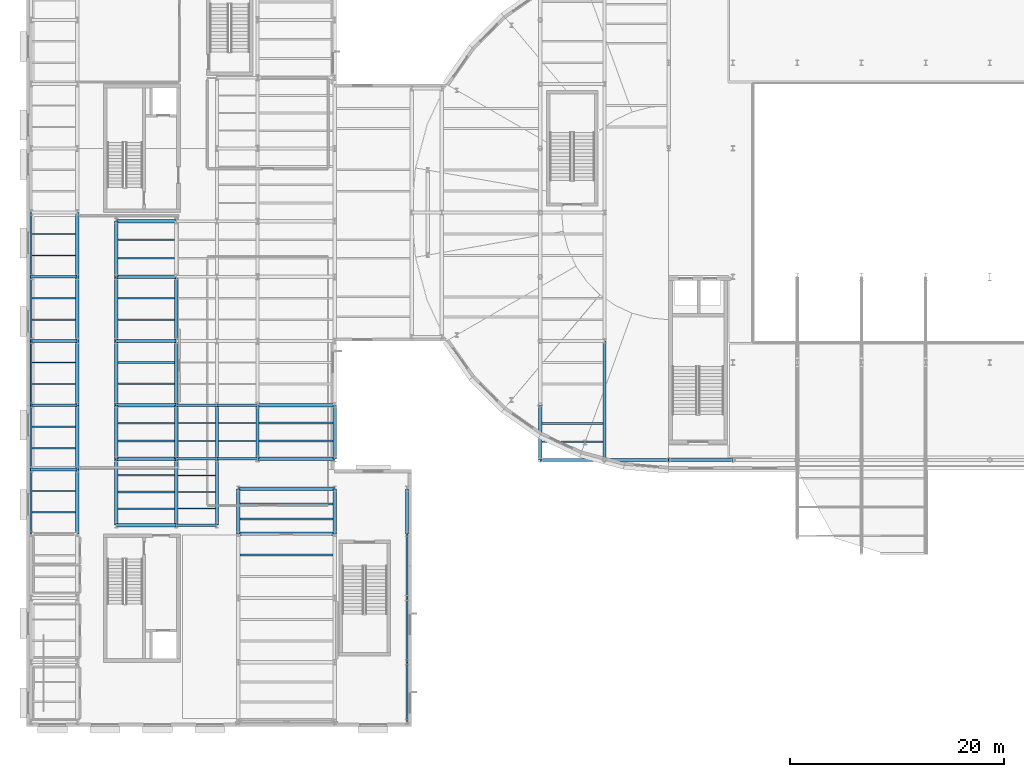
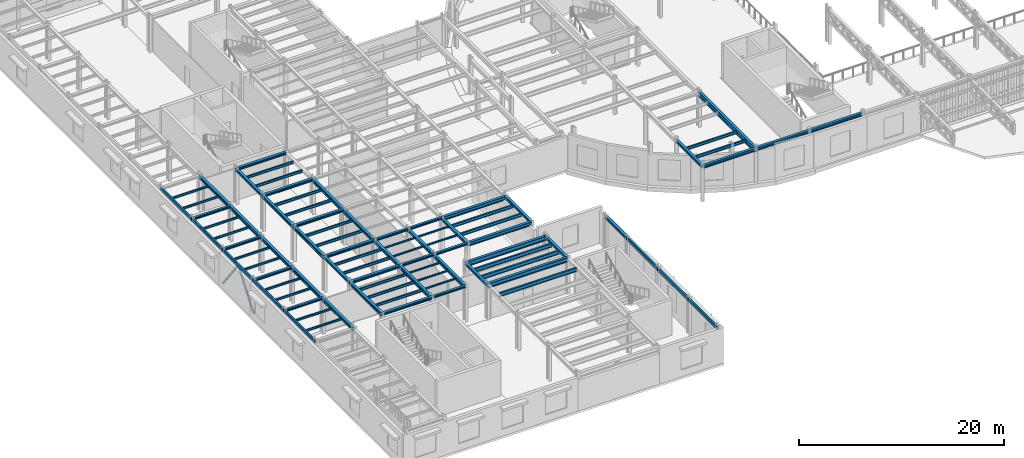
# One storey, part 18 of 91: 88 beams, 2 members.
"""IFC4 building model written with IfcOpenShell, lengths in metres."""

import ifcopenshell
import ifcopenshell.guid

model = None  # the IFC model being written
_history = None  # IfcOwnerHistory: only IFC2X3 demands one
_inside = {}  # id of a spatial element -> (the spatial element, [elements in it])
_under = {}  # id of a project, library or spatial element -> (it, [spatial elements below it])
_declared = {}  # id of a project -> (the project, [libraries it declares])
_typed = {}  # id of a type object -> (the type object, [elements of that type])
_made_of = {}  # id of a material, layer set ... -> (it, [elements and type objects made of it])


def new_model(schema):
    """Start an empty IFC model of exactly this schema.

    Asked for "IFC4X3", IfcOpenShell would pick the latest addendum, in which some entities
    have other attributes; the version numbers below select the first issue.
    IFC2X3 requires an IfcOwnerHistory on every rooted entity: one is made here for all.
    """
    global model, _history
    if schema == "IFC4X3":
        model = ifcopenshell.file(schema_version=(4, 3, 0, 0))
    else:
        model = ifcopenshell.file(schema=schema)
    _inside.clear()
    _under.clear()
    _declared.clear()
    _typed.clear()
    _made_of.clear()
    _history = None
    if model.schema == "IFC2X3":
        org = make("IfcOrganization", Name="unknown")
        user = make(
            "IfcPersonAndOrganization",
            ThePerson=make("IfcPerson", FamilyName="unknown"),
            TheOrganization=org,
        )
        app = make(
            "IfcApplication",
            ApplicationDeveloper=org,
            Version="unknown",
            ApplicationFullName="unknown",
            ApplicationIdentifier="unknown",
        )
        _history = make(
            "IfcOwnerHistory",
            OwningUser=user,
            OwningApplication=app,
            ChangeAction="ADDED",
            CreationDate=0,
        )
    return model


def make(cls, **values):
    """One entity of the class cls with the attributes given. An attribute that is None is left unset."""
    return model.create_entity(
        cls, **{name: value for name, value in values.items() if value is not None}
    )


def rooted(cls, **values):
    """An entity with a GlobalId (a new one), such as an element, a storey or a relation."""
    return make(cls, GlobalId=ifcopenshell.guid.new(), OwnerHistory=_history, **values)


def si_unit(unit_type, name, prefix=None):
    """IfcSIUnit, for example si_unit("LENGTHUNIT", "METRE", prefix="MILLI")."""
    return make("IfcSIUnit", UnitType=unit_type, Prefix=prefix, Name=name)


def assignment(units):
    """IfcUnitAssignment: the units of a project."""
    return None if units is None else make("IfcUnitAssignment", Units=units)


def point(xyz):
    """IfcCartesianPoint."""
    return None if xyz is None else make("IfcCartesianPoint", Coordinates=xyz)


def direction(xyz):
    """IfcDirection."""
    return None if xyz is None else make("IfcDirection", DirectionRatios=xyz)


def frame(location, z_axis=None, x_axis=None):
    """IfcAxis2Placement3D, a coordinate frame: its origin and axes. An axis left out is left unset."""
    return make(
        "IfcAxis2Placement3D",
        Location=point(location),
        Axis=direction(z_axis),
        RefDirection=direction(x_axis),
    )


def frame_2d(location, x_axis=None):
    """IfcAxis2Placement2D, a coordinate frame in the plane: its origin and x axis."""
    return make(
        "IfcAxis2Placement2D", Location=point(location), RefDirection=direction(x_axis)
    )


def origin():
    """The frame at (0, 0, 0) with its axes left unset."""
    return frame((0.0, 0.0, 0.0))


def origin_2d():
    """The frame at (0, 0) in the plane with its x axis left unset."""
    return frame_2d((0.0, 0.0))


def place(relative_to, where):
    """IfcLocalPlacement: puts the frame where relative to a parent placement (None: the world)."""
    return make(
        "IfcLocalPlacement", PlacementRelTo=relative_to, RelativePlacement=where
    )


def context(
    kind, dimensions, precision=None, world=None, true_north=None, identifier=None
):
    """IfcGeometricRepresentationContext, for example the 3D "Model" context."""
    return make(
        "IfcGeometricRepresentationContext",
        ContextIdentifier=identifier,
        ContextType=kind,
        CoordinateSpaceDimension=dimensions,
        Precision=precision,
        WorldCoordinateSystem=world,
        TrueNorth=true_north,
    )


def subcontext(parent, identifier, kind, view, scale=None):
    """IfcGeometricRepresentationSubContext, for example "Body" below "Model"."""
    return make(
        "IfcGeometricRepresentationSubContext",
        ContextIdentifier=identifier,
        ContextType=kind,
        ParentContext=parent,
        TargetScale=scale,
        TargetView=view,
    )


def project(units=None, contexts=None):
    """IfcProject with its units and contexts."""
    return rooted(
        "IfcProject",
        Name="project",
        RepresentationContexts=contexts,
        UnitsInContext=assignment(units),
    )


def spatial(cls, under=None, at=None, **own):
    """A site, building, storey or space (cls), placed at a placement, below another one or the project."""
    s = rooted(cls, ObjectPlacement=at, **own)
    if under is not None:
        _under.setdefault(under.id(), (under, []))[1].append(s)
    return s


def profile(cls, at=None, kind="AREA", **sizes):
    """A parametric profile (cls). Its sizes go by their IFC names, for example OverallWidth=200.0."""
    return make(cls, ProfileType=kind, Position=at, **sizes)


def hollow_rectangle(**sizes):
    """IfcRectangleHollowProfileDef."""
    return profile("IfcRectangleHollowProfileDef", **sizes)


def i_section(**sizes):
    """IfcIShapeProfileDef."""
    return profile("IfcIShapeProfileDef", **sizes)


def extrude(swept, where, along, depth):
    """IfcExtrudedAreaSolid: the profile swept, set in the frame where, extruded along a direction by depth."""
    return make(
        "IfcExtrudedAreaSolid",
        SweptArea=swept,
        Position=where,
        ExtrudedDirection=direction(along),
        Depth=depth,
    )


def shape(context_of_items, identifier, shape_type, items):
    """IfcShapeRepresentation: the items that make up one representation, for example the "Body"."""
    return make(
        "IfcShapeRepresentation",
        ContextOfItems=context_of_items,
        RepresentationIdentifier=identifier,
        RepresentationType=shape_type,
        Items=items,
    )


def material(Name=None, Category=None):
    """IfcMaterial."""
    return make("IfcMaterial", Name=Name, Category=Category)


def material_profile(
    of_material, cross_section, Name=None, Category=None, Priority=None
):
    """IfcMaterialProfile: a cross section and its material."""
    return make(
        "IfcMaterialProfile",
        Name=Name,
        Material=of_material,
        Profile=cross_section,
        Priority=Priority,
        Category=Category,
    )


def profile_set(profiles, Name=None, composite=None):
    """IfcMaterialProfileSet."""
    return make(
        "IfcMaterialProfileSet",
        Name=Name,
        MaterialProfiles=profiles,
        CompositeProfile=composite,
    )


def made_of(thing, what):
    """Note that an element or type object is made of a material, layer set ...; save() writes the relation."""
    if what is not None:
        _made_of.setdefault(what.id(), (what, []))[1].append(thing)
    return thing


def type_object(cls, material=None, **own):
    """A type object (cls), such as IfcWallType, which elements share."""
    return made_of(rooted(cls, **own), material)


def element(
    cls,
    number,
    at=None,
    inside=None,
    cuts=None,
    type_object=None,
    material=None,
    context=None,
    identifier="Body",
    shape_type=None,
    held_by="IfcProductDefinitionShape",
    body=None,
    shapes=None,
    **own,
):
    """One element of the class cls, such as IfcWall. Its Tag is "e" and its number.

    at: its placement. inside: the storey or other place that contains it. cuts: it is an
    opening in that element (IfcRelVoidsElement). A single representation is given by context,
    identifier, shape_type and body (its items); several are given by shapes. held_by: the class
    of the entity that holds the representations. save() writes the other relations.
    """
    e = rooted(cls, Tag="e%d" % number, ObjectPlacement=at, **own)
    if body is not None:
        shapes = [shape(context, identifier, shape_type, body)]
    if shapes is not None:
        e.Representation = make(held_by, Representations=shapes)
    if inside is not None:
        _inside.setdefault(inside.id(), (inside, []))[1].append(e)
    if cuts is not None:
        rooted(
            "IfcRelVoidsElement", RelatingBuildingElement=cuts, RelatedOpeningElement=e
        )
    if type_object is not None:
        _typed.setdefault(type_object.id(), (type_object, []))[1].append(e)
    return made_of(e, material)


def aggregate(whole, parts):
    """IfcRelAggregates: a whole, such as a stair, and the parts it consists of."""
    return rooted("IfcRelAggregates", RelatingObject=whole, RelatedObjects=parts)


def save(model, path):
    """Write the relations noted so far, then the file.

    IfcRelAggregates (storeys below a building ...), IfcRelContainedInSpatialStructure (elements
    in a storey), IfcRelDefinesByType, IfcRelAssociatesMaterial and IfcRelDeclares: one each for
    every whole, place, type object, material and project.
    """
    for whole, parts in _under.values():
        aggregate(whole, parts)
    for where, things in _inside.values():
        rooted(
            "IfcRelContainedInSpatialStructure",
            RelatedElements=things,
            RelatingStructure=where,
        )
    for kind, things in _typed.values():
        rooted("IfcRelDefinesByType", RelatedObjects=things, RelatingType=kind)
    for what, things in _made_of.values():
        rooted("IfcRelAssociatesMaterial", RelatedObjects=things, RelatingMaterial=what)
    for by, libraries in _declared.values():
        rooted("IfcRelDeclares", RelatingContext=by, RelatedDefinitions=libraries)
    model.write(path)


model = new_model("IFC4")

# Units and contexts
model_context = context("Model", 3, precision=1e-05, world=origin(), true_north=direction((0.0, 1.0)))
body_context = subcontext(model_context, "Body", "Model", "MODEL_VIEW")
ifc_project = project(units=[si_unit("LENGTHUNIT", "METRE"), si_unit("AREAUNIT", "SQUARE_METRE"), si_unit("VOLUMEUNIT", "CUBIC_METRE"), si_unit("PLANEANGLEUNIT", "RADIAN"), si_unit("MASSUNIT", "GRAM", prefix="KILO")], contexts=[model_context])

# Site, building, storey
site_placement = place(None, origin())
site = spatial("IfcSite", under=ifc_project, at=site_placement, CompositionType="ELEMENT")
building_placement = place(site_placement, origin())
building = spatial("IfcBuilding", under=site, at=building_placement, Name="Kolvaren Corner Interchange", CompositionType="ELEMENT")
storey_placement = place(building_placement, frame((0.0, 0.0, 6.0)))
storey = spatial("IfcBuildingStorey", under=building, at=storey_placement, Name="L02", CompositionType="ELEMENT", Elevation=6.0)

# Beams
ifc_material_1 = material(Name="Steel S355", Category="steel")
ifc_material_profile_1 = material_profile(ifc_material_1, i_section(OverallWidth=0.260009765625, OverallDepth=0.25, WebThickness=0.007568359375, FlangeThickness=0.012451171875, FilletRadius=0.02392578125, at=origin_2d()), Name="HEA 260")
ifc_profile_set_1 = profile_set([ifc_material_profile_1], Name="Steel S355")
beam_type_1 = type_object("IfcBeamType", Name="BM-HEA260", PredefinedType="BEAM", material=ifc_profile_set_1)
for number, where, z_axis, x_axis, name in (
    (1, (14.0, 18.800048828125, 4.125), (1.0, 0.0, 0.0), (0.0, 1.0, 0.0), "Storey L02 Grid X Primary Girder 0538"),
    (2, (14.0, 25.0, 4.125), (1.0, 0.0, 0.0), (0.0, 1.0, 0.0), "Storey L02 Grid X Primary Girder 0554"),
    (3, (17.800048828125, 25.0, 4.125), (1.0, 0.0, 0.0), (0.0, 1.0, 0.0), "Storey L02 Grid X Primary Girder 0555"),
    (4, (14.0, 30.0, 4.125), (1.0, 0.0, 0.0), (0.0, 1.0, 0.0), "Storey L02 Grid X Primary Girder 0558"),
    (5, (17.800048828125, 30.0, 4.125), (1.0, 0.0, 0.0), (0.0, 1.0, 0.0), "Storey L02 Grid X Primary Girder 0559"),
):
    element("IfcBeam", number, at=place(storey_placement, frame(where, z_axis=z_axis, x_axis=x_axis)), inside=storey, type_object=beam_type_1, Name=name, PredefinedType="BEAM", context=body_context, shape_type="SweptSolid", body=[
        extrude(i_section(OverallWidth=0.260009765625, OverallDepth=0.25, WebThickness=0.007568359375, FlangeThickness=0.012451171875, FilletRadius=0.02392578125, at=origin_2d()), origin(), (0.0, 0.0, 1.0), 3.800048828125),
    ])
for number, where, z_axis, x_axis, name in (
    (6, (0.449951171875, 24.0, 4.125), (1.0, 0.0, 0.0), (0.0, 1.0, 0.0), "Storey L02 Grid X Primary Girder 0685"),
    (7, (0.449951171875, 30.0, 4.125), (1.0, 0.0, 0.0), (0.0, 1.0, 0.0), "Storey L02 Grid X Primary Girder 0686"),
    (8, (0.449951171875, 36.0, 4.125), (1.0, 0.0, 0.0), (0.0, 1.0, 0.0), "Storey L02 Grid X Primary Girder 0689"),
    (9, (0.449951171875, 42.0, 4.125), (1.0, 0.0, 0.0), (0.0, 1.0, 0.0), "Storey L02 Grid X Primary Girder 0692"),
):
    element("IfcBeam", number, at=place(storey_placement, frame(where, z_axis=z_axis, x_axis=x_axis)), inside=storey, type_object=beam_type_1, Name=name, PredefinedType="BEAM", context=body_context, shape_type="SweptSolid", body=[
        extrude(i_section(OverallWidth=0.260009765625, OverallDepth=0.25, WebThickness=0.007568359375, FlangeThickness=0.012451171875, FilletRadius=0.02392578125, at=origin_2d()), origin(), (0.0, 0.0, 1.0), 4.300048828125),
    ])
ifc_material_2 = material(Name="Steel S355", Category="steel")
ifc_material_profile_2 = material_profile(ifc_material_2, i_section(OverallWidth=0.300048828125, OverallDepth=0.2900390625, WebThickness=0.008544921875, FlangeThickness=0.013916015625, FilletRadius=0.027099609375, at=origin_2d()), Name="HEA 300")
ifc_profile_set_2 = profile_set([ifc_material_profile_2], Name="Steel S355")
beam_type_2 = type_object("IfcBeamType", Name="BM-HEA300", PredefinedType="BEAM", material=ifc_profile_set_2)
for number, where, z_axis, x_axis, name in (
    (10, (8.39990234375, 18.800048828125, 4.10498046875), (1.0, 0.0, 0.0), (0.0, 1.0, 0.0), "Storey L02 Grid X Primary Girder 0537"),
    (11, (8.39990234375, 25.0, 4.10498046875), (1.0, 0.0, 0.0), (0.0, 1.0, 0.0), "Storey L02 Grid X Primary Girder 0553"),
    (12, (8.39990234375, 30.0, 4.10498046875), (1.0, 0.0, 0.0), (0.0, 1.0, 0.0), "Storey L02 Grid X Primary Girder 0557"),
    (13, (8.39990234375, 36.0, 4.10498046875), (1.0, 0.0, 0.0), (0.0, 1.0, 0.0), "Storey L02 Grid X Primary Girder 0561"),
    (14, (8.39990234375, 42.0, 4.10498046875), (1.0, 0.0, 0.0), (0.0, 1.0, 0.0), "Storey L02 Grid X Primary Girder 0568"),
    (15, (8.39990234375, 47.199951171875, 4.10498046875), (1.0, 0.0, 0.0), (0.0, 1.0, 0.0), "Storey L02 Grid X Primary Girder 0572"),
):
    element("IfcBeam", number, at=place(storey_placement, frame(where, z_axis=z_axis, x_axis=x_axis)), inside=storey, type_object=beam_type_2, Name=name, PredefinedType="BEAM", context=body_context, shape_type="SweptSolid", body=[
        extrude(i_section(OverallWidth=0.300048828125, OverallDepth=0.2900390625, WebThickness=0.008544921875, FlangeThickness=0.013916015625, FilletRadius=0.027099609375, at=origin_2d()), origin(), (0.0, 0.0, 1.0), 5.60009765625),
    ])
ifc_material_3 = material(Name="Steel S355", Category="steel")
ifc_material_profile_3 = material_profile(ifc_material_3, i_section(OverallWidth=0.300048828125, OverallDepth=0.31005859375, WebThickness=0.009033203125, FlangeThickness=0.015380859375, FilletRadius=0.027099609375, at=origin_2d()), Name="HEA 320")
ifc_profile_set_3 = profile_set([ifc_material_profile_3], Name="Steel S355")
beam_type_3 = type_object("IfcBeamType", Name="BM-HEA320", PredefinedType="BEAM", material=ifc_profile_set_3)
beam_1_placement = place(storey_placement, frame((8.39990234375, 25.0, 4.094970703125), z_axis=(0.0, 1.0, 0.0), x_axis=(-1.0, 0.0, 0.0)))
element("IfcBeam", 16, at=beam_1_placement, inside=storey, type_object=beam_type_3, Name="Storey L02 Grid Y Primary Girder 0604", PredefinedType="BEAM", context=body_context, shape_type="SweptSolid", body=[
    extrude(i_section(OverallWidth=0.300048828125, OverallDepth=0.31005859375, WebThickness=0.009033203125, FlangeThickness=0.015380859375, FilletRadius=0.027099609375, at=origin_2d()), origin(), (0.0, 0.0, 1.0), 5.0),
])
beam_2_placement = place(storey_placement, frame((8.39990234375, 42.0, 4.094970703125), z_axis=(0.0, 1.0, 0.0), x_axis=(-1.0, 0.0, 0.0)))
element("IfcBeam", 17, at=beam_2_placement, inside=storey, type_object=beam_type_3, Name="Storey L02 Grid Y Primary Girder 0607", PredefinedType="BEAM", context=body_context, shape_type="SweptSolid", body=[
    extrude(i_section(OverallWidth=0.300048828125, OverallDepth=0.31005859375, WebThickness=0.009033203125, FlangeThickness=0.015380859375, FilletRadius=0.027099609375, at=origin_2d()), origin(), (0.0, 0.0, 1.0), 5.199951171875),
])
for number, where, z_axis, x_axis, name in (
    (18, (14.0, 25.0, 4.094970703125), (0.0, 1.0, 0.0), (-1.0, 0.0, 0.0), "Storey L02 Grid Y Primary Girder 0609"),
    (19, (17.800048828125, 25.0, 4.094970703125), (0.0, 1.0, 0.0), (-1.0, 0.0, 0.0), "Storey L02 Grid Y Primary Girder 0614"),
    (20, (21.60009765625, 25.0, 4.094970703125), (0.0, 1.0, 0.0), (-1.0, 0.0, 0.0), "Storey L02 Grid Y Primary Girder 0620"),
    (21, (28.800048828125, 25.0, 4.094970703125), (0.0, 1.0, 0.0), (-1.0, 0.0, 0.0), "Storey L02 Grid Y Primary Girder 0628"),
):
    element("IfcBeam", number, at=place(storey_placement, frame(where, z_axis=z_axis, x_axis=x_axis)), inside=storey, type_object=beam_type_3, Name=name, PredefinedType="BEAM", context=body_context, shape_type="SweptSolid", body=[
        extrude(i_section(OverallWidth=0.300048828125, OverallDepth=0.31005859375, WebThickness=0.009033203125, FlangeThickness=0.015380859375, FilletRadius=0.027099609375, at=origin_2d()), origin(), (0.0, 0.0, 1.0), 5.0),
    ])
beam_3_placement = place(storey_placement, frame((48.0, 24.89990234375, 4.094970703125), z_axis=(0.0, 1.0, 0.0), x_axis=(-1.0, 0.0, 0.0)))
element("IfcBeam", 22, at=beam_3_placement, inside=storey, type_object=beam_type_3, Name="Storey L02 Grid Y Primary Girder 0641", PredefinedType="BEAM", context=body_context, shape_type="SweptSolid", body=[
    extrude(i_section(OverallWidth=0.300048828125, OverallDepth=0.31005859375, WebThickness=0.009033203125, FlangeThickness=0.015380859375, FilletRadius=0.027099609375, at=origin_2d()), origin(), (0.0, 0.0, 1.0), 5.10009765625),
])
for number, where, z_axis, x_axis, name in (
    (23, (19.800048828125, 18.0, 4.094970703125), (0.0, 1.0, 0.0), (-1.0, 0.0, 0.0), "Storey L02 Grid Y Primary Girder 0773"),
    (24, (28.800048828125, 18.0, 4.094970703125), (0.0, 1.0, 0.0), (-1.0, 0.0, 0.0), "Storey L02 Grid Y Primary Girder 0779"),
    (25, (35.550048828125, 18.0, 4.094970703125), (0.0, 1.0, 0.0), (-1.0, 0.0, 0.0), "Storey L02 Grid Y Primary Girder 0785"),
):
    element("IfcBeam", number, at=place(storey_placement, frame(where, z_axis=z_axis, x_axis=x_axis)), inside=storey, type_object=beam_type_3, Name=name, PredefinedType="BEAM", context=body_context, shape_type="SweptSolid", body=[
        extrude(i_section(OverallWidth=0.300048828125, OverallDepth=0.31005859375, WebThickness=0.009033203125, FlangeThickness=0.015380859375, FilletRadius=0.027099609375, at=origin_2d()), origin(), (0.0, 0.0, 1.0), 4.199951171875),
    ])
ifc_material_4 = material(Name="Steel S355", Category="steel")
ifc_material_profile_4 = material_profile(ifc_material_4, i_section(OverallWidth=0.300048828125, OverallDepth=0.35009765625, WebThickness=0.010009765625, FlangeThickness=0.017578125, FilletRadius=0.027099609375, at=origin_2d()), Name="HEA 360")
ifc_profile_set_4 = profile_set([ifc_material_profile_4], Name="Steel S355")
beam_type_4 = type_object("IfcBeamType", Name="BM-HEA360", PredefinedType="BEAM", material=ifc_profile_set_4)
for number, where, z_axis, x_axis, name in (
    (26, (48.0, 24.89990234375, 4.074951171875), (1.0, 0.0, 0.0), (0.0, 1.0, 0.0), "Storey L02 Grid X Primary Girder 0539"),
    (27, (54.0, 24.89990234375, 4.074951171875), (1.0, 0.0, 0.0), (0.0, 1.0, 0.0), "Storey L02 Grid X Primary Girder 0540"),
    (28, (60.0, 24.89990234375, 4.074951171875), (1.0, 0.0, 0.0), (0.0, 1.0, 0.0), "Storey L02 Grid X Primary Girder 0541"),
):
    element("IfcBeam", number, at=place(storey_placement, frame(where, z_axis=z_axis, x_axis=x_axis)), inside=storey, type_object=beam_type_4, Name=name, PredefinedType="BEAM", context=body_context, shape_type="SweptSolid", body=[
        extrude(i_section(OverallWidth=0.300048828125, OverallDepth=0.35009765625, WebThickness=0.010009765625, FlangeThickness=0.017578125, FilletRadius=0.027099609375, at=origin_2d()), origin(), (0.0, 0.0, 1.0), 6.0),
    ])
ifc_material_5 = material(Name="Steel S355", Category="steel")
ifc_material_profile_5 = material_profile(ifc_material_5, i_section(OverallWidth=0.300048828125, OverallDepth=0.389892578125, WebThickness=0.010986328125, FlangeThickness=0.01904296875, FilletRadius=0.027099609375, at=origin_2d()), Name="HEA 400")
ifc_profile_set_5 = profile_set([ifc_material_profile_5], Name="Steel S355")
beam_type_5 = type_object("IfcBeamType", Name="BM-HEA400", PredefinedType="BEAM", material=ifc_profile_set_5)
beam_4_placement = place(storey_placement, frame((8.39990234375, 18.800048828125, 4.054931640625), z_axis=(0.0, 1.0, 0.0), x_axis=(-1.0, 0.0, 0.0)))
element("IfcBeam", 29, at=beam_4_placement, inside=storey, type_object=beam_type_5, Name="Storey L02 Grid Y Primary Girder 0603", PredefinedType="BEAM", context=body_context, shape_type="SweptSolid", body=[
    extrude(i_section(OverallWidth=0.300048828125, OverallDepth=0.389892578125, WebThickness=0.010986328125, FlangeThickness=0.01904296875, FilletRadius=0.027099609375, at=origin_2d()), origin(), (0.0, 0.0, 1.0), 6.199951171875),
])
for number, where, z_axis, x_axis, name in (
    (30, (8.39990234375, 30.0, 4.054931640625), (0.0, 1.0, 0.0), (-1.0, 0.0, 0.0), "Storey L02 Grid Y Primary Girder 0605"),
    (31, (8.39990234375, 36.0, 4.054931640625), (0.0, 1.0, 0.0), (-1.0, 0.0, 0.0), "Storey L02 Grid Y Primary Girder 0606"),
):
    element("IfcBeam", number, at=place(storey_placement, frame(where, z_axis=z_axis, x_axis=x_axis)), inside=storey, type_object=beam_type_5, Name=name, PredefinedType="BEAM", context=body_context, shape_type="SweptSolid", body=[
        extrude(i_section(OverallWidth=0.300048828125, OverallDepth=0.389892578125, WebThickness=0.010986328125, FlangeThickness=0.01904296875, FilletRadius=0.027099609375, at=origin_2d()), origin(), (0.0, 0.0, 1.0), 6.0),
    ])
beam_5_placement = place(storey_placement, frame((14.0, 18.800048828125, 4.054931640625), z_axis=(0.0, 1.0, 0.0), x_axis=(-1.0, 0.0, 0.0)))
element("IfcBeam", 32, at=beam_5_placement, inside=storey, type_object=beam_type_5, Name="Storey L02 Grid Y Primary Girder 0608", PredefinedType="BEAM", context=body_context, shape_type="SweptSolid", body=[
    extrude(i_section(OverallWidth=0.300048828125, OverallDepth=0.389892578125, WebThickness=0.010986328125, FlangeThickness=0.01904296875, FilletRadius=0.027099609375, at=origin_2d()), origin(), (0.0, 0.0, 1.0), 6.199951171875),
])
for number, where, z_axis, x_axis, name in (
    (33, (14.0, 30.0, 4.054931640625), (0.0, 1.0, 0.0), (-1.0, 0.0, 0.0), "Storey L02 Grid Y Primary Girder 0610"),
    (34, (14.0, 36.0, 4.054931640625), (0.0, 1.0, 0.0), (-1.0, 0.0, 0.0), "Storey L02 Grid Y Primary Girder 0611"),
):
    element("IfcBeam", number, at=place(storey_placement, frame(where, z_axis=z_axis, x_axis=x_axis)), inside=storey, type_object=beam_type_5, Name=name, PredefinedType="BEAM", context=body_context, shape_type="SweptSolid", body=[
        extrude(i_section(OverallWidth=0.300048828125, OverallDepth=0.389892578125, WebThickness=0.010986328125, FlangeThickness=0.01904296875, FilletRadius=0.027099609375, at=origin_2d()), origin(), (0.0, 0.0, 1.0), 6.0),
    ])
beam_6_placement = place(storey_placement, frame((17.800048828125, 18.800048828125, 4.054931640625), z_axis=(0.0, 1.0, 0.0), x_axis=(-1.0, 0.0, 0.0)))
element("IfcBeam", 35, at=beam_6_placement, inside=storey, type_object=beam_type_5, Name="Storey L02 Grid Y Primary Girder 0613", PredefinedType="BEAM", context=body_context, shape_type="SweptSolid", body=[
    extrude(i_section(OverallWidth=0.300048828125, OverallDepth=0.389892578125, WebThickness=0.010986328125, FlangeThickness=0.01904296875, FilletRadius=0.027099609375, at=origin_2d()), origin(), (0.0, 0.0, 1.0), 6.199951171875),
])
for number, where, z_axis, x_axis, name in (
    (36, (4.75, 18.0, 4.054931640625), (0.0, 1.0, 0.0), (-1.0, 0.0, 0.0), "Storey L02 Grid Y Primary Girder 0757"),
    (37, (4.75, 24.0, 4.054931640625), (0.0, 1.0, 0.0), (-1.0, 0.0, 0.0), "Storey L02 Grid Y Primary Girder 0758"),
    (38, (4.75, 30.0, 4.054931640625), (0.0, 1.0, 0.0), (-1.0, 0.0, 0.0), "Storey L02 Grid Y Primary Girder 0759"),
    (39, (4.75, 36.0, 4.054931640625), (0.0, 1.0, 0.0), (-1.0, 0.0, 0.0), "Storey L02 Grid Y Primary Girder 0760"),
    (40, (4.75, 42.0, 4.054931640625), (0.0, 1.0, 0.0), (-1.0, 0.0, 0.0), "Storey L02 Grid Y Primary Girder 0761"),
):
    element("IfcBeam", number, at=place(storey_placement, frame(where, z_axis=z_axis, x_axis=x_axis)), inside=storey, type_object=beam_type_5, Name=name, PredefinedType="BEAM", context=body_context, shape_type="SweptSolid", body=[
        extrude(i_section(OverallWidth=0.300048828125, OverallDepth=0.389892578125, WebThickness=0.010986328125, FlangeThickness=0.01904296875, FilletRadius=0.027099609375, at=origin_2d()), origin(), (0.0, 0.0, 1.0), 6.0),
    ])
ifc_material_6 = material(Name="Steel S355", Category="steel")
ifc_material_profile_6 = material_profile(ifc_material_6, i_section(OverallWidth=0.300048828125, OverallDepth=0.43994140625, WebThickness=0.011474609375, FlangeThickness=0.02099609375, FilletRadius=0.027099609375, at=origin_2d()), Name="HEA 450")
ifc_profile_set_6 = profile_set([ifc_material_profile_6], Name="Steel S355")
beam_type_6 = type_object("IfcBeamType", Name="BM-HEA450", PredefinedType="BEAM", material=ifc_profile_set_6)
for number, where, z_axis, x_axis, name in (
    (41, (21.60009765625, 25.0, 4.030029296875), (1.0, 0.0, 0.0), (0.0, 1.0, 0.0), "Storey L02 Grid X Primary Girder 0556"),
    (42, (21.60009765625, 30.0, 4.030029296875), (1.0, 0.0, 0.0), (0.0, 1.0, 0.0), "Storey L02 Grid X Primary Girder 0560"),
):
    element("IfcBeam", number, at=place(storey_placement, frame(where, z_axis=z_axis, x_axis=x_axis)), inside=storey, type_object=beam_type_6, Name=name, PredefinedType="BEAM", context=body_context, shape_type="SweptSolid", body=[
        extrude(i_section(OverallWidth=0.300048828125, OverallDepth=0.43994140625, WebThickness=0.011474609375, FlangeThickness=0.02099609375, FilletRadius=0.027099609375, at=origin_2d()), origin(), (0.0, 0.0, 1.0), 7.199951171875),
    ])
ifc_material_7 = material(Name="Steel S355", Category="steel")
ifc_material_profile_7 = material_profile(ifc_material_7, i_section(OverallWidth=0.300048828125, OverallDepth=0.5400390625, WebThickness=0.012451171875, FlangeThickness=0.02392578125, FilletRadius=0.027099609375, at=origin_2d()), Name="HEA 550")
ifc_profile_set_7 = profile_set([ifc_material_profile_7], Name="Steel S355")
beam_type_7 = type_object("IfcBeamType", Name="BM-HEA550", PredefinedType="BEAM", material=ifc_profile_set_7)
for number, where, z_axis, x_axis, name in (
    (43, (19.800048828125, 18.0, 3.97998046875), (1.0, 0.0, 0.0), (0.0, 1.0, 0.0), "Storey L02 Grid X Primary Girder 0680"),
    (44, (19.800048828125, 22.199951171875, 3.97998046875), (1.0, 0.0, 0.0), (0.0, 1.0, 0.0), "Storey L02 Grid X Primary Girder 0684"),
):
    element("IfcBeam", number, at=place(storey_placement, frame(where, z_axis=z_axis, x_axis=x_axis)), inside=storey, type_object=beam_type_7, Name=name, PredefinedType="BEAM", context=body_context, shape_type="SweptSolid", body=[
        extrude(i_section(OverallWidth=0.300048828125, OverallDepth=0.5400390625, WebThickness=0.012451171875, FlangeThickness=0.02392578125, FilletRadius=0.027099609375, at=origin_2d()), origin(), (0.0, 0.0, 1.0), 9.0),
    ])
ifc_material_8 = material(Name="Steel S355", Category="steel")
ifc_material_profile_8 = material_profile(ifc_material_8, i_section(OverallWidth=0.300048828125, OverallDepth=0.590087890625, WebThickness=0.012939453125, FlangeThickness=0.02490234375, FilletRadius=0.027099609375, at=origin_2d()), Name="HEA 600")
ifc_profile_set_8 = profile_set([ifc_material_profile_8], Name="Steel S355")
beam_type_8 = type_object("IfcBeamType", Name="BM-HEA600", PredefinedType="BEAM", material=ifc_profile_set_8)
beam_7_placement = place(storey_placement, frame((54.0, 24.89990234375, 3.955078125), z_axis=(0.0, 1.0, 0.0), x_axis=(-1.0, 0.0, 0.0)))
element("IfcBeam", 45, at=beam_7_placement, inside=storey, type_object=beam_type_8, Name="Storey L02 Grid Y Primary Girder 0649", PredefinedType="BEAM", context=body_context, shape_type="SweptSolid", body=[
    extrude(i_section(OverallWidth=0.300048828125, OverallDepth=0.590087890625, WebThickness=0.012939453125, FlangeThickness=0.02490234375, FilletRadius=0.027099609375, at=origin_2d()), origin(), (0.0, 0.0, 1.0), 11.10009765625),
])
ifc_material_9 = material(Name="Steel S355", Category="steel")
ifc_material_profile_9 = material_profile(ifc_material_9, i_section(OverallWidth=0.10009765625, OverallDepth=0.199951171875, WebThickness=0.005615234375, FlangeThickness=0.008544921875, FilletRadius=0.011962890625, at=origin_2d()), Name="IPE 200")
ifc_profile_set_9 = profile_set([ifc_material_profile_9], Name="Steel S355")
beam_type_9 = type_object("IfcBeamType", Name="JS-IPE200", PredefinedType="JOIST", material=ifc_profile_set_9)
for number, where, z_axis, x_axis, name in (
    (46, (14.14990234375, 20.35009765625, 4.14990234375), (1.0, 0.0, 0.0), (0.0, 1.0, 0.0), "Storey L02 Composite Floor Joist 0542"),
    (47, (14.14990234375, 21.89990234375, 4.14990234375), (1.0, 0.0, 0.0), (0.0, 1.0, 0.0), "Storey L02 Composite Floor Joist 0543"),
    (48, (14.14990234375, 23.449951171875, 4.14990234375), (1.0, 0.0, 0.0), (0.0, 1.0, 0.0), "Storey L02 Composite Floor Joist 0544"),
    (49, (14.14990234375, 26.666748046875, 4.14990234375), (1.0, 0.0, 0.0), (0.0, 1.0, 0.0), "Storey L02 Composite Floor Joist 0545"),
    (50, (14.14990234375, 28.333251953125, 4.14990234375), (1.0, 0.0, 0.0), (0.0, 1.0, 0.0), "Storey L02 Composite Floor Joist 0546"),
    (51, (17.949951171875, 26.666748046875, 4.14990234375), (1.0, 0.0, 0.0), (0.0, 1.0, 0.0), "Storey L02 Composite Floor Joist 0553"),
    (52, (17.949951171875, 28.333251953125, 4.14990234375), (1.0, 0.0, 0.0), (0.0, 1.0, 0.0), "Storey L02 Composite Floor Joist 0554"),
):
    element("IfcBeam", number, at=place(storey_placement, frame(where, z_axis=z_axis, x_axis=x_axis)), inside=storey, type_object=beam_type_9, Name=name, PredefinedType="JOIST", context=body_context, shape_type="SweptSolid", body=[
        extrude(i_section(OverallWidth=0.10009765625, OverallDepth=0.199951171875, WebThickness=0.005615234375, FlangeThickness=0.008544921875, FilletRadius=0.011962890625, at=origin_2d()), origin(), (0.0, 0.0, 1.0), 3.5),
    ])
ifc_material_10 = material(Name="Steel S355", Category="steel")
ifc_material_profile_10 = material_profile(ifc_material_10, i_section(OverallWidth=0.1201171875, OverallDepth=0.239990234375, WebThickness=0.006103515625, FlangeThickness=0.009765625, FilletRadius=0.014892578125, at=origin_2d()), Name="IPE 240")
ifc_profile_set_10 = profile_set([ifc_material_profile_10], Name="Steel S355")
beam_type_10 = type_object("IfcBeamType", Name="JS-IPE240", PredefinedType="JOIST", material=ifc_profile_set_10)
for number, where, z_axis, x_axis, name in (
    (53, (0.550048828125, 20.0, 4.1298828125), (1.0, 0.0, 0.0), (0.0, 1.0, 0.0), "Storey L02 Composite Floor Joist 0645"),
    (54, (0.550048828125, 22.0, 4.1298828125), (1.0, 0.0, 0.0), (0.0, 1.0, 0.0), "Storey L02 Composite Floor Joist 0646"),
    (55, (0.550048828125, 26.0, 4.1298828125), (1.0, 0.0, 0.0), (0.0, 1.0, 0.0), "Storey L02 Composite Floor Joist 0647"),
    (56, (0.550048828125, 28.0, 4.1298828125), (1.0, 0.0, 0.0), (0.0, 1.0, 0.0), "Storey L02 Composite Floor Joist 0648"),
    (57, (0.550048828125, 32.0, 4.1298828125), (1.0, 0.0, 0.0), (0.0, 1.0, 0.0), "Storey L02 Composite Floor Joist 0649"),
    (58, (0.550048828125, 34.0, 4.1298828125), (1.0, 0.0, 0.0), (0.0, 1.0, 0.0), "Storey L02 Composite Floor Joist 0650"),
    (59, (0.550048828125, 38.0, 4.1298828125), (1.0, 0.0, 0.0), (0.0, 1.0, 0.0), "Storey L02 Composite Floor Joist 0651"),
    (60, (0.550048828125, 40.0, 4.1298828125), (1.0, 0.0, 0.0), (0.0, 1.0, 0.0), "Storey L02 Composite Floor Joist 0652"),
    (61, (0.550048828125, 44.0, 4.1298828125), (1.0, 0.0, 0.0), (0.0, 1.0, 0.0), "Storey L02 Composite Floor Joist 0653"),
    (62, (0.550048828125, 46.0, 4.1298828125), (1.0, 0.0, 0.0), (0.0, 1.0, 0.0), "Storey L02 Composite Floor Joist 0654"),
):
    element("IfcBeam", number, at=place(storey_placement, frame(where, z_axis=z_axis, x_axis=x_axis)), inside=storey, type_object=beam_type_10, Name=name, PredefinedType="JOIST", context=body_context, shape_type="SweptSolid", body=[
        extrude(i_section(OverallWidth=0.1201171875, OverallDepth=0.239990234375, WebThickness=0.006103515625, FlangeThickness=0.009765625, FilletRadius=0.014892578125, at=origin_2d()), origin(), (0.0, 0.0, 1.0), 4.050048828125),
    ])
ifc_material_11 = material(Name="Steel S355", Category="steel")
ifc_material_profile_11 = material_profile(ifc_material_11, i_section(OverallWidth=0.14990234375, OverallDepth=0.300048828125, WebThickness=0.007080078125, FlangeThickness=0.0107421875, FilletRadius=0.014892578125, at=origin_2d()), Name="IPE 300")
ifc_profile_set_11 = profile_set([ifc_material_profile_11], Name="Steel S355")
beam_type_11 = type_object("IfcBeamType", Name="JS-IPE300", PredefinedType="JOIST", material=ifc_profile_set_11)
for number, where, z_axis, x_axis, name in (
    (63, (8.550048828125, 20.35009765625, 4.10009765625), (1.0, 0.0, 0.0), (0.0, 1.0, 0.0), "Storey L02 Composite Floor Joist 0531"),
    (64, (8.550048828125, 21.89990234375, 4.10009765625), (1.0, 0.0, 0.0), (0.0, 1.0, 0.0), "Storey L02 Composite Floor Joist 0532"),
    (65, (8.550048828125, 23.449951171875, 4.10009765625), (1.0, 0.0, 0.0), (0.0, 1.0, 0.0), "Storey L02 Composite Floor Joist 0533"),
    (66, (8.550048828125, 26.666748046875, 4.10009765625), (1.0, 0.0, 0.0), (0.0, 1.0, 0.0), "Storey L02 Composite Floor Joist 0534"),
    (67, (8.550048828125, 28.333251953125, 4.10009765625), (1.0, 0.0, 0.0), (0.0, 1.0, 0.0), "Storey L02 Composite Floor Joist 0535"),
    (68, (8.550048828125, 32.0, 4.10009765625), (1.0, 0.0, 0.0), (0.0, 1.0, 0.0), "Storey L02 Composite Floor Joist 0536"),
    (69, (8.550048828125, 34.0, 4.10009765625), (1.0, 0.0, 0.0), (0.0, 1.0, 0.0), "Storey L02 Composite Floor Joist 0537"),
    (70, (8.550048828125, 38.0, 4.10009765625), (1.0, 0.0, 0.0), (0.0, 1.0, 0.0), "Storey L02 Composite Floor Joist 0538"),
    (71, (8.550048828125, 40.0, 4.10009765625), (1.0, 0.0, 0.0), (0.0, 1.0, 0.0), "Storey L02 Composite Floor Joist 0539"),
    (72, (8.550048828125, 43.7333984375, 4.10009765625), (1.0, 0.0, 0.0), (0.0, 1.0, 0.0), "Storey L02 Composite Floor Joist 0540"),
    (73, (8.550048828125, 45.466796875, 4.10009765625), (1.0, 0.0, 0.0), (0.0, 1.0, 0.0), "Storey L02 Composite Floor Joist 0541"),
):
    element("IfcBeam", number, at=place(storey_placement, frame(where, z_axis=z_axis, x_axis=x_axis)), inside=storey, type_object=beam_type_11, Name=name, PredefinedType="JOIST", context=body_context, shape_type="SweptSolid", body=[
        extrude(i_section(OverallWidth=0.14990234375, OverallDepth=0.300048828125, WebThickness=0.007080078125, FlangeThickness=0.0107421875, FilletRadius=0.014892578125, at=origin_2d()), origin(), (0.0, 0.0, 1.0), 5.300048828125),
    ])
ifc_material_12 = material(Name="Steel S355", Category="steel")
ifc_material_profile_12 = material_profile(ifc_material_12, i_section(OverallWidth=0.159912109375, OverallDepth=0.330078125, WebThickness=0.007568359375, FlangeThickness=0.011474609375, FilletRadius=0.01806640625, at=origin_2d()), Name="IPE 330")
ifc_profile_set_12 = profile_set([ifc_material_profile_12], Name="Steel S355")
beam_type_12 = type_object("IfcBeamType", Name="JS-IPE330", PredefinedType="JOIST", material=ifc_profile_set_12)
for number, where, z_axis, x_axis, name in (
    (74, (48.14990234375, 26.60009765625, 4.0849609375), (1.0, 0.0, 0.0), (0.0, 1.0, 0.0), "Storey L02 Composite Floor Joist 0601"),
    (75, (48.14990234375, 28.300048828125, 4.0849609375), (1.0, 0.0, 0.0), (0.0, 1.0, 0.0), "Storey L02 Composite Floor Joist 0602"),
):
    element("IfcBeam", number, at=place(storey_placement, frame(where, z_axis=z_axis, x_axis=x_axis)), inside=storey, type_object=beam_type_12, Name=name, PredefinedType="JOIST", context=body_context, shape_type="SweptSolid", body=[
        extrude(i_section(OverallWidth=0.159912109375, OverallDepth=0.330078125, WebThickness=0.007568359375, FlangeThickness=0.011474609375, FilletRadius=0.01806640625, at=origin_2d()), origin(), (0.0, 0.0, 1.0), 5.7001953125),
    ])
ifc_material_13 = material(Name="Steel S355", Category="steel")
ifc_material_profile_13 = material_profile(ifc_material_13, i_section(OverallWidth=0.169921875, OverallDepth=0.360107421875, WebThickness=0.008056640625, FlangeThickness=0.0126953125, FilletRadius=0.01806640625, at=origin_2d()), Name="IPE 360")
ifc_profile_set_13 = profile_set([ifc_material_profile_13], Name="Steel S355")
beam_type_13 = type_object("IfcBeamType", Name="JS-IPE360", PredefinedType="JOIST", material=ifc_profile_set_13)
for number, where, z_axis, x_axis, name in (
    (76, (21.75, 26.666748046875, 4.070068359375), (1.0, 0.0, 0.0), (0.0, 1.0, 0.0), "Storey L02 Composite Floor Joist 0567"),
    (77, (21.75, 28.333251953125, 4.070068359375), (1.0, 0.0, 0.0), (0.0, 1.0, 0.0), "Storey L02 Composite Floor Joist 0568"),
):
    element("IfcBeam", number, at=place(storey_placement, frame(where, z_axis=z_axis, x_axis=x_axis)), inside=storey, type_object=beam_type_13, Name=name, PredefinedType="JOIST", context=body_context, shape_type="SweptSolid", body=[
        extrude(i_section(OverallWidth=0.169921875, OverallDepth=0.360107421875, WebThickness=0.008056640625, FlangeThickness=0.0126953125, FilletRadius=0.01806640625, at=origin_2d()), origin(), (0.0, 0.0, 1.0), 6.89990234375),
    ])
ifc_material_14 = material(Name="Steel S355", Category="steel")
ifc_material_profile_14 = material_profile(ifc_material_14, i_section(OverallWidth=0.18994140625, OverallDepth=0.449951171875, WebThickness=0.009521484375, FlangeThickness=0.0146484375, FilletRadius=0.02099609375, at=origin_2d()), Name="IPE 450")
ifc_profile_set_14 = profile_set([ifc_material_profile_14], Name="Steel S355")
beam_type_14 = type_object("IfcBeamType", Name="JS-IPE450", PredefinedType="JOIST", material=ifc_profile_set_14)
for number, where, z_axis, x_axis, name in (
    (78, (19.949951171875, 16.0, 4.02490234375), (1.0, 0.0, 0.0), (0.0, 1.0, 0.0), "Storey L02 Composite Floor Joist 0679"),
    (79, (19.949951171875, 19.39990234375, 4.02490234375), (1.0, 0.0, 0.0), (0.0, 1.0, 0.0), "Storey L02 Composite Floor Joist 0680"),
    (80, (19.949951171875, 20.800048828125, 4.02490234375), (1.0, 0.0, 0.0), (0.0, 1.0, 0.0), "Storey L02 Composite Floor Joist 0681"),
):
    element("IfcBeam", number, at=place(storey_placement, frame(where, z_axis=z_axis, x_axis=x_axis)), inside=storey, type_object=beam_type_14, Name=name, PredefinedType="JOIST", context=body_context, shape_type="SweptSolid", body=[
        extrude(i_section(OverallWidth=0.18994140625, OverallDepth=0.449951171875, WebThickness=0.009521484375, FlangeThickness=0.0146484375, FilletRadius=0.02099609375, at=origin_2d()), origin(), (0.0, 0.0, 1.0), 8.699951171875),
    ])

# Members
ifc_material_15 = material(Name="Steel S355", Category="steel")
ifc_material_profile_15 = material_profile(ifc_material_15, hollow_rectangle(XDim=0.179931640625, YDim=0.179931640625, WallThickness=0.010009765625, InnerFilletRadius=0.010009765625, OuterFilletRadius=0.02001953125, at=origin_2d()), Name="SHS 180x180x10.0")
ifc_profile_set_15 = profile_set([ifc_material_profile_15], Name="Steel S355")
member_type = type_object("IfcMemberType", Name="MEM-BR-SHS180", PredefinedType="BRACE", material=ifc_profile_set_15)
for number, where, z_axis, x_axis, name in (
    (81, (0.449951171875, 30.0, 0.1201171875), (0.0, 0.604358493193, 0.796712502541), (-1.0, 0.0, 0.0), "Storey L02 Lateral Chevron Steel Brace 07 Left"),
    (82, (0.449951171875, 36.0, 0.1201171875), (0.0, -0.604358493193, 0.796712502541), (1.0, 0.0, 0.0), "Storey L02 Lateral Chevron Steel Brace 07 Right"),
):
    element("IfcMember", number, at=place(storey_placement, frame(where, z_axis=z_axis, x_axis=x_axis)), inside=storey, type_object=member_type, Name=name, PredefinedType="BRACE", context=body_context, shape_type="SweptSolid", body=[
        extrude(hollow_rectangle(XDim=0.179931640625, YDim=0.179931640625, WallThickness=0.010009765625, InnerFilletRadius=0.010009765625, OuterFilletRadius=0.02001953125, at=origin_2d()), origin(), (0.0, 0.0, 1.0), 4.9638671875),
    ])

# Beams
ifc_material_16 = material(Name="Steel S355", Category="steel")
ifc_material_profile_16 = material_profile(ifc_material_16, hollow_rectangle(XDim=0.199951171875, YDim=0.35009765625, WallThickness=0.012451171875, InnerFilletRadius=0.012451171875, OuterFilletRadius=0.02490234375, at=origin_2d()), Name="RHS 350x200x12.5")
ifc_profile_set_16 = profile_set([ifc_material_profile_16], Name="Steel S355")
beam_type_15 = type_object("IfcBeamType", Name="SP-RHS350", PredefinedType="SPANDREL", material=ifc_profile_set_16)
for number, where, z_axis, x_axis, name in (
    (83, (0.449951171875, 18.0, 4.074951171875), (0.0, 1.0, 0.0), (-1.0, 0.0, 0.0), "Storey L02 Grid Y Primary Girder 0743"),
    (84, (0.449951171875, 24.0, 4.074951171875), (0.0, 1.0, 0.0), (-1.0, 0.0, 0.0), "Storey L02 Grid Y Primary Girder 0744"),
    (85, (0.449951171875, 30.0, 4.074951171875), (0.0, 1.0, 0.0), (-1.0, 0.0, 0.0), "Storey L02 Grid Y Primary Girder 0745"),
    (86, (0.449951171875, 36.0, 4.074951171875), (0.0, 1.0, 0.0), (-1.0, 0.0, 0.0), "Storey L02 Grid Y Primary Girder 0746"),
    (87, (0.449951171875, 42.0, 4.074951171875), (0.0, 1.0, 0.0), (-1.0, 0.0, 0.0), "Storey L02 Grid Y Primary Girder 0747"),
):
    element("IfcBeam", number, at=place(storey_placement, frame(where, z_axis=z_axis, x_axis=x_axis)), inside=storey, type_object=beam_type_15, Name=name, PredefinedType="SPANDREL", context=body_context, shape_type="SweptSolid", body=[
        extrude(hollow_rectangle(XDim=0.199951171875, YDim=0.35009765625, WallThickness=0.012451171875, InnerFilletRadius=0.012451171875, OuterFilletRadius=0.02490234375, at=origin_2d()), origin(), (0.0, 0.0, 1.0), 6.0),
    ])
ifc_material_17 = material(Name="Steel S355", Category="steel")
ifc_material_profile_17 = material_profile(ifc_material_17, hollow_rectangle(XDim=0.199951171875, YDim=0.39990234375, WallThickness=0.012451171875, InnerFilletRadius=0.012451171875, OuterFilletRadius=0.02490234375, at=origin_2d()), Name="RHS 400x200x12.5")
ifc_profile_set_17 = profile_set([ifc_material_profile_17], Name="Steel S355")
beam_type_16 = type_object("IfcBeamType", Name="SP-RHS400", PredefinedType="SPANDREL", material=ifc_profile_set_17)
beam_8_placement = place(storey_placement, frame((35.550048828125, 0.449951171875, 4.050048828125), z_axis=(0.0, 1.0, 0.0), x_axis=(-1.0, 0.0, 0.0)))
element("IfcBeam", 88, at=beam_8_placement, inside=storey, type_object=beam_type_16, Name="Storey L02 Grid Y Primary Girder 0782", PredefinedType="SPANDREL", context=body_context, shape_type="SweptSolid", body=[
    extrude(hollow_rectangle(XDim=0.199951171875, YDim=0.39990234375, WallThickness=0.012451171875, InnerFilletRadius=0.012451171875, OuterFilletRadius=0.02490234375, at=origin_2d()), origin(), (0.0, 0.0, 1.0), 5.550048828125),
])
for number, where, z_axis, x_axis, name in (
    (89, (35.550048828125, 6.0, 4.050048828125), (0.0, 1.0, 0.0), (-1.0, 0.0, 0.0), "Storey L02 Grid Y Primary Girder 0783"),
    (90, (35.550048828125, 12.0, 4.050048828125), (0.0, 1.0, 0.0), (-1.0, 0.0, 0.0), "Storey L02 Grid Y Primary Girder 0784"),
):
    element("IfcBeam", number, at=place(storey_placement, frame(where, z_axis=z_axis, x_axis=x_axis)), inside=storey, type_object=beam_type_16, Name=name, PredefinedType="SPANDREL", context=body_context, shape_type="SweptSolid", body=[
        extrude(hollow_rectangle(XDim=0.199951171875, YDim=0.39990234375, WallThickness=0.012451171875, InnerFilletRadius=0.012451171875, OuterFilletRadius=0.02490234375, at=origin_2d()), origin(), (0.0, 0.0, 1.0), 6.0),
    ])

save(model, "model.ifc")
